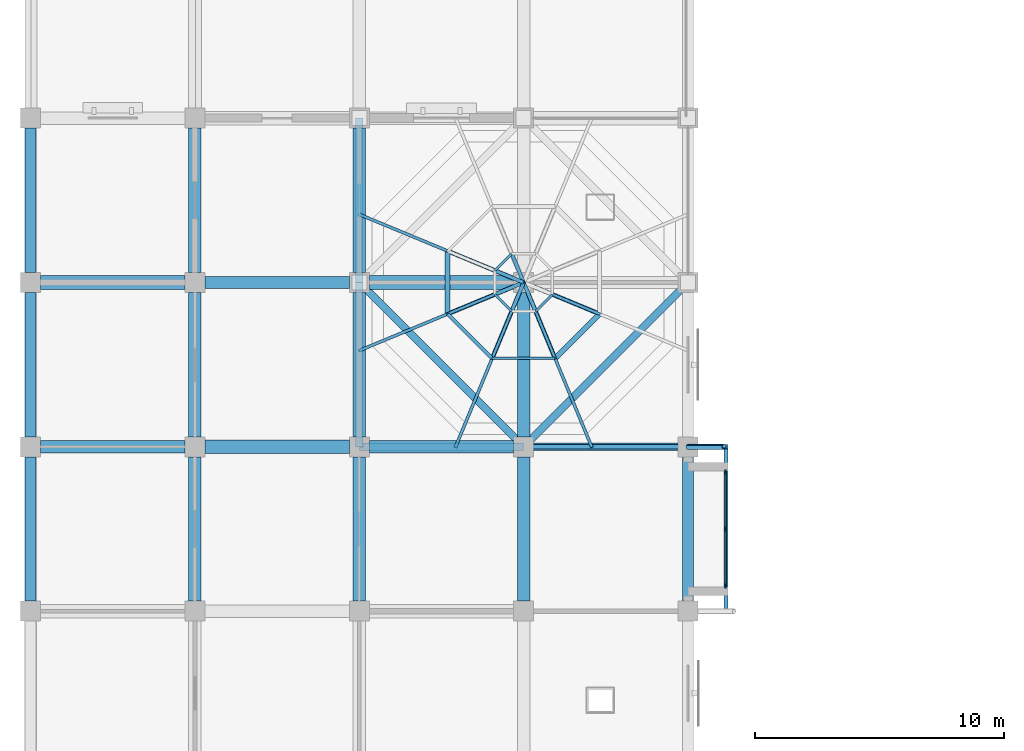
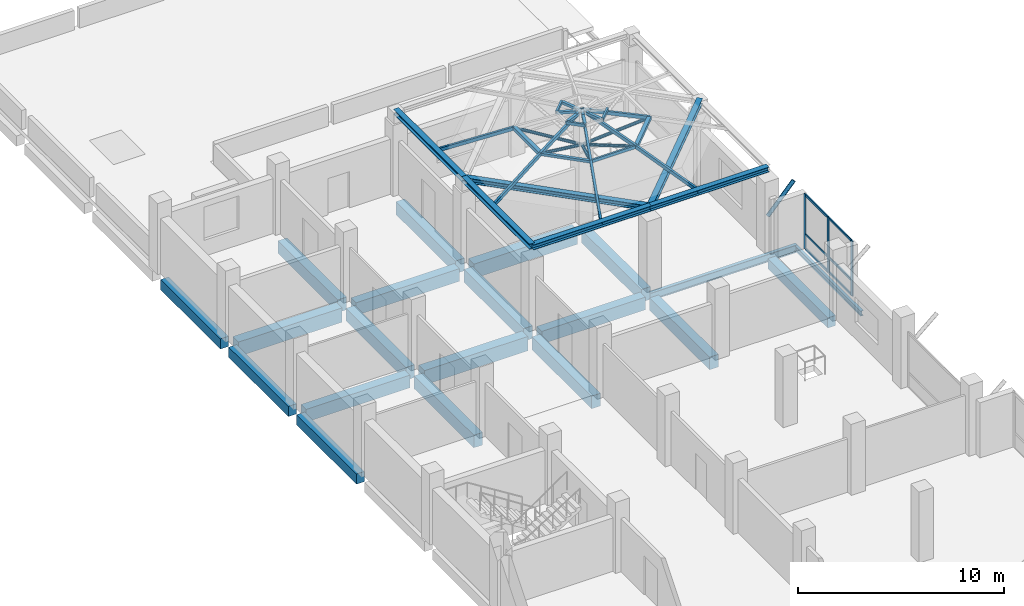
# One storey, part 10 of 25: 35 members, 26 beams, 1 element without a shape of its own.
"""IFC4 building model written with IfcOpenShell, lengths in metres."""

import ifcopenshell
import ifcopenshell.guid

model = None  # the IFC model being written
_history = None  # IfcOwnerHistory: only IFC2X3 demands one
_inside = {}  # id of a spatial element -> (the spatial element, [elements in it])
_under = {}  # id of a project, library or spatial element -> (it, [spatial elements below it])
_declared = {}  # id of a project -> (the project, [libraries it declares])
_typed = {}  # id of a type object -> (the type object, [elements of that type])
_made_of = {}  # id of a material, layer set ... -> (it, [elements and type objects made of it])


def new_model(schema):
    """Start an empty IFC model of exactly this schema.

    Asked for "IFC4X3", IfcOpenShell would pick the latest addendum, in which some entities
    have other attributes; the version numbers below select the first issue.
    IFC2X3 requires an IfcOwnerHistory on every rooted entity: one is made here for all.
    """
    global model, _history
    if schema == "IFC4X3":
        model = ifcopenshell.file(schema_version=(4, 3, 0, 0))
    else:
        model = ifcopenshell.file(schema=schema)
    _inside.clear()
    _under.clear()
    _declared.clear()
    _typed.clear()
    _made_of.clear()
    _history = None
    if model.schema == "IFC2X3":
        org = make("IfcOrganization", Name="unknown")
        user = make(
            "IfcPersonAndOrganization",
            ThePerson=make("IfcPerson", FamilyName="unknown"),
            TheOrganization=org,
        )
        app = make(
            "IfcApplication",
            ApplicationDeveloper=org,
            Version="unknown",
            ApplicationFullName="unknown",
            ApplicationIdentifier="unknown",
        )
        _history = make(
            "IfcOwnerHistory",
            OwningUser=user,
            OwningApplication=app,
            ChangeAction="ADDED",
            CreationDate=0,
        )
    return model


def make(cls, **values):
    """One entity of the class cls with the attributes given. An attribute that is None is left unset."""
    return model.create_entity(
        cls, **{name: value for name, value in values.items() if value is not None}
    )


def rooted(cls, **values):
    """An entity with a GlobalId (a new one), such as an element, a storey or a relation."""
    return make(cls, GlobalId=ifcopenshell.guid.new(), OwnerHistory=_history, **values)


def si_unit(unit_type, name, prefix=None):
    """IfcSIUnit, for example si_unit("LENGTHUNIT", "METRE", prefix="MILLI")."""
    return make("IfcSIUnit", UnitType=unit_type, Prefix=prefix, Name=name)


def assignment(units):
    """IfcUnitAssignment: the units of a project."""
    return None if units is None else make("IfcUnitAssignment", Units=units)


def point(xyz):
    """IfcCartesianPoint."""
    return None if xyz is None else make("IfcCartesianPoint", Coordinates=xyz)


def direction(xyz):
    """IfcDirection."""
    return None if xyz is None else make("IfcDirection", DirectionRatios=xyz)


def frame(location, z_axis=None, x_axis=None):
    """IfcAxis2Placement3D, a coordinate frame: its origin and axes. An axis left out is left unset."""
    return make(
        "IfcAxis2Placement3D",
        Location=point(location),
        Axis=direction(z_axis),
        RefDirection=direction(x_axis),
    )


def frame_2d(location, x_axis=None):
    """IfcAxis2Placement2D, a coordinate frame in the plane: its origin and x axis."""
    return make(
        "IfcAxis2Placement2D", Location=point(location), RefDirection=direction(x_axis)
    )


def origin():
    """The frame at (0, 0, 0) with its axes left unset."""
    return frame((0.0, 0.0, 0.0))


def origin_2d():
    """The frame at (0, 0) in the plane with its x axis left unset."""
    return frame_2d((0.0, 0.0))


def place(relative_to, where):
    """IfcLocalPlacement: puts the frame where relative to a parent placement (None: the world)."""
    return make(
        "IfcLocalPlacement", PlacementRelTo=relative_to, RelativePlacement=where
    )


def context(
    kind, dimensions, precision=None, world=None, true_north=None, identifier=None
):
    """IfcGeometricRepresentationContext, for example the 3D "Model" context."""
    return make(
        "IfcGeometricRepresentationContext",
        ContextIdentifier=identifier,
        ContextType=kind,
        CoordinateSpaceDimension=dimensions,
        Precision=precision,
        WorldCoordinateSystem=world,
        TrueNorth=true_north,
    )


def subcontext(parent, identifier, kind, view, scale=None):
    """IfcGeometricRepresentationSubContext, for example "Body" below "Model"."""
    return make(
        "IfcGeometricRepresentationSubContext",
        ContextIdentifier=identifier,
        ContextType=kind,
        ParentContext=parent,
        TargetScale=scale,
        TargetView=view,
    )


def project(units=None, contexts=None):
    """IfcProject with its units and contexts."""
    return rooted(
        "IfcProject",
        Name="project",
        RepresentationContexts=contexts,
        UnitsInContext=assignment(units),
    )


def spatial(cls, under=None, at=None, **own):
    """A site, building, storey or space (cls), placed at a placement, below another one or the project."""
    s = rooted(cls, ObjectPlacement=at, **own)
    if under is not None:
        _under.setdefault(under.id(), (under, []))[1].append(s)
    return s


def profile(cls, at=None, kind="AREA", **sizes):
    """A parametric profile (cls). Its sizes go by their IFC names, for example OverallWidth=200.0."""
    return make(cls, ProfileType=kind, Position=at, **sizes)


def rectangle(**sizes):
    """IfcRectangleProfileDef."""
    return profile("IfcRectangleProfileDef", **sizes)


def hollow_rectangle(**sizes):
    """IfcRectangleHollowProfileDef."""
    return profile("IfcRectangleHollowProfileDef", **sizes)


def hollow_circle(**sizes):
    """IfcCircleHollowProfileDef."""
    return profile("IfcCircleHollowProfileDef", **sizes)


def i_section(**sizes):
    """IfcIShapeProfileDef."""
    return profile("IfcIShapeProfileDef", **sizes)


def extrude(swept, where, along, depth):
    """IfcExtrudedAreaSolid: the profile swept, set in the frame where, extruded along a direction by depth."""
    return make(
        "IfcExtrudedAreaSolid",
        SweptArea=swept,
        Position=where,
        ExtrudedDirection=direction(along),
        Depth=depth,
    )


def shape(context_of_items, identifier, shape_type, items):
    """IfcShapeRepresentation: the items that make up one representation, for example the "Body"."""
    return make(
        "IfcShapeRepresentation",
        ContextOfItems=context_of_items,
        RepresentationIdentifier=identifier,
        RepresentationType=shape_type,
        Items=items,
    )


def material(Name=None, Category=None):
    """IfcMaterial."""
    return make("IfcMaterial", Name=Name, Category=Category)


def material_profile(
    of_material, cross_section, Name=None, Category=None, Priority=None
):
    """IfcMaterialProfile: a cross section and its material."""
    return make(
        "IfcMaterialProfile",
        Name=Name,
        Material=of_material,
        Profile=cross_section,
        Priority=Priority,
        Category=Category,
    )


def profile_set(profiles, Name=None, composite=None):
    """IfcMaterialProfileSet."""
    return make(
        "IfcMaterialProfileSet",
        Name=Name,
        MaterialProfiles=profiles,
        CompositeProfile=composite,
    )


def made_of(thing, what):
    """Note that an element or type object is made of a material, layer set ...; save() writes the relation."""
    if what is not None:
        _made_of.setdefault(what.id(), (what, []))[1].append(thing)
    return thing


def type_object(cls, material=None, **own):
    """A type object (cls), such as IfcWallType, which elements share."""
    return made_of(rooted(cls, **own), material)


def element(
    cls,
    number,
    at=None,
    inside=None,
    cuts=None,
    type_object=None,
    material=None,
    context=None,
    identifier="Body",
    shape_type=None,
    held_by="IfcProductDefinitionShape",
    body=None,
    shapes=None,
    **own,
):
    """One element of the class cls, such as IfcWall. Its Tag is "e" and its number.

    at: its placement. inside: the storey or other place that contains it. cuts: it is an
    opening in that element (IfcRelVoidsElement). A single representation is given by context,
    identifier, shape_type and body (its items); several are given by shapes. held_by: the class
    of the entity that holds the representations. save() writes the other relations.
    """
    e = rooted(cls, Tag="e%d" % number, ObjectPlacement=at, **own)
    if body is not None:
        shapes = [shape(context, identifier, shape_type, body)]
    if shapes is not None:
        e.Representation = make(held_by, Representations=shapes)
    if inside is not None:
        _inside.setdefault(inside.id(), (inside, []))[1].append(e)
    if cuts is not None:
        rooted(
            "IfcRelVoidsElement", RelatingBuildingElement=cuts, RelatedOpeningElement=e
        )
    if type_object is not None:
        _typed.setdefault(type_object.id(), (type_object, []))[1].append(e)
    return made_of(e, material)


def aggregate(whole, parts):
    """IfcRelAggregates: a whole, such as a stair, and the parts it consists of."""
    return rooted("IfcRelAggregates", RelatingObject=whole, RelatedObjects=parts)


def save(model, path):
    """Write the relations noted so far, then the file.

    IfcRelAggregates (storeys below a building ...), IfcRelContainedInSpatialStructure (elements
    in a storey), IfcRelDefinesByType, IfcRelAssociatesMaterial and IfcRelDeclares: one each for
    every whole, place, type object, material and project.
    """
    for whole, parts in _under.values():
        aggregate(whole, parts)
    for where, things in _inside.values():
        rooted(
            "IfcRelContainedInSpatialStructure",
            RelatedElements=things,
            RelatingStructure=where,
        )
    for kind, things in _typed.values():
        rooted("IfcRelDefinesByType", RelatedObjects=things, RelatingType=kind)
    for what, things in _made_of.values():
        rooted("IfcRelAssociatesMaterial", RelatedObjects=things, RelatingMaterial=what)
    for by, libraries in _declared.values():
        rooted("IfcRelDeclares", RelatingContext=by, RelatedDefinitions=libraries)
    model.write(path)


model = new_model("IFC4")

# Units and contexts
model_context = context("Model", 3, precision=1e-05, world=origin(), true_north=direction((0.0, 1.0)))
body_context = subcontext(model_context, "Body", "Model", "MODEL_VIEW")
ifc_project = project(units=[si_unit("LENGTHUNIT", "METRE"), si_unit("AREAUNIT", "SQUARE_METRE"), si_unit("VOLUMEUNIT", "CUBIC_METRE"), si_unit("PLANEANGLEUNIT", "RADIAN"), si_unit("MASSUNIT", "GRAM", prefix="KILO")], contexts=[model_context])

# Site, building, storey
site_placement = place(None, origin())
site = spatial("IfcSite", under=ifc_project, at=site_placement, CompositionType="ELEMENT")
building_placement = place(site_placement, origin())
building = spatial("IfcBuilding", under=site, at=building_placement, Name="Rusizi Kubbe Research Institute", CompositionType="ELEMENT")
storey_placement = place(building_placement, frame((0.0, 0.0, 14.39990234375)))
storey = spatial("IfcBuildingStorey", under=building, at=storey_placement, Name="L03", CompositionType="ELEMENT", Elevation=14.39990234375)

# Beams
ifc_material_1 = material(Name="Steel S355", Category="steel")
ifc_material_profile_1 = material_profile(ifc_material_1, i_section(OverallWidth=0.300048828125, OverallDepth=0.300048828125, WebThickness=0.010986328125, FlangeThickness=0.01904296875, at=origin_2d()), Name="HEB 300")
ifc_profile_set_1 = profile_set([ifc_material_profile_1], Name="Steel S355")
beam_type_1 = type_object("IfcBeamType", Name="BM-HEB300", PredefinedType="BEAM", material=ifc_profile_set_1)
beam_1_placement = place(storey_placement, frame((13.199951171875, 85.800048828125, 4.7001953125), z_axis=(1.0, 0.0, 0.0), x_axis=(0.0, 1.0, 0.0)))
element("IfcBeam", 1, at=beam_1_placement, inside=storey, type_object=beam_type_1, Name="Kubbe Dome Ring Beam DOME-NP1 S1", PredefinedType="BEAM", context=body_context, shape_type="SweptSolid", body=[
    extrude(i_section(OverallWidth=0.300048828125, OverallDepth=0.300048828125, WebThickness=0.010986328125, FlangeThickness=0.01904296875, at=origin_2d()), origin(), (0.0, 0.0, 1.0), 6.60009765625),
])
for number, where, z_axis, x_axis, name in (
    (2, (19.800048828125, 85.800048828125, 4.7001953125), (1.0, 0.0, 0.0), (0.0, 1.0, 0.0), "Kubbe Dome Ring Beam DOME-NP1 S2"),
    (3, (13.199951171875, 85.800048828125, 4.7001953125), (0.0, 1.0, 0.0), (-1.0, 0.0, 0.0), "Kubbe Dome Ring Beam DOME-NP1 W1"),
):
    element("IfcBeam", number, at=place(storey_placement, frame(where, z_axis=z_axis, x_axis=x_axis)), inside=storey, type_object=beam_type_1, Name=name, PredefinedType="BEAM", context=body_context, shape_type="SweptSolid", body=[
        extrude(i_section(OverallWidth=0.300048828125, OverallDepth=0.300048828125, WebThickness=0.010986328125, FlangeThickness=0.01904296875, at=origin_2d()), origin(), (0.0, 0.0, 1.0), 6.599853515625),
    ])
beam_2_placement = place(storey_placement, frame((13.199951171875, 92.39990234375, 4.7001953125), z_axis=(0.0, 1.0, 0.0), x_axis=(-1.0, 0.0, 0.0)))
element("IfcBeam", 4, at=beam_2_placement, inside=storey, type_object=beam_type_1, Name="Kubbe Dome Ring Beam DOME-NP1 W2", PredefinedType="BEAM", context=body_context, shape_type="SweptSolid", body=[
    extrude(i_section(OverallWidth=0.300048828125, OverallDepth=0.300048828125, WebThickness=0.010986328125, FlangeThickness=0.01904296875, at=origin_2d()), origin(), (0.0, 0.0, 1.0), 6.60009765625),
])
beam_3_placement = place(storey_placement, frame((13.199951171875, 92.39990234375, 4.7001953125), z_axis=(0.707119859409, -0.707093702722, 0.0), x_axis=(0.707093702722, 0.707119859409, 0.0)))
element("IfcBeam", 5, at=beam_3_placement, inside=storey, type_object=beam_type_1, Name="Kubbe Dome Ring Beam DOME-NP1 PSW", PredefinedType="BEAM", context=body_context, shape_type="SweptSolid", body=[
    extrude(i_section(OverallWidth=0.300048828125, OverallDepth=0.300048828125, WebThickness=0.010986328125, FlangeThickness=0.01904296875, at=origin_2d()), origin(), (0.0, 0.0, 1.0), 9.333740234375),
])
beam_4_placement = place(storey_placement, frame((19.800048828125, 85.800048828125, 4.7001953125), z_axis=(0.707106781187, 0.707106781187, 0.0), x_axis=(-0.707106781187, 0.707106781187, 0.0)))
element("IfcBeam", 6, at=beam_4_placement, inside=storey, type_object=beam_type_1, Name="Kubbe Dome Ring Beam DOME-NP1 PSE", PredefinedType="BEAM", context=body_context, shape_type="SweptSolid", body=[
    extrude(i_section(OverallWidth=0.300048828125, OverallDepth=0.300048828125, WebThickness=0.010986328125, FlangeThickness=0.01904296875, at=origin_2d()), origin(), (0.0, 0.0, 1.0), 9.33349609375),
])
ifc_material_2 = material(Name="Steel S355", Category="steel")
ifc_material_profile_2 = material_profile(ifc_material_2, i_section(OverallWidth=0.14990234375, OverallDepth=0.300048828125, WebThickness=0.007080078125, FlangeThickness=0.0107421875, at=origin_2d()), Name="IPE 300")
ifc_profile_set_2 = profile_set([ifc_material_profile_2], Name="Steel S355")
beam_type_2 = type_object("IfcBeamType", Name="BM-IPE300", PredefinedType="BEAM", material=ifc_profile_set_2)
beam_5_placement = place(storey_placement, frame((27.925048828125, 79.294921875, -0.5), z_axis=(0.0, 1.0, 0.0), x_axis=(-1.0, 0.0, 0.0)))
element("IfcBeam", 7, at=beam_5_placement, inside=storey, type_object=beam_type_2, Name="Cumba Edge Tie Beam L03-2", PredefinedType="BEAM", context=body_context, shape_type="SweptSolid", body=[
    extrude(i_section(OverallWidth=0.14990234375, OverallDepth=0.300048828125, WebThickness=0.007080078125, FlangeThickness=0.0107421875, at=origin_2d()), origin(), (0.0, 0.0, 1.0), 6.41015625),
])
ifc_material_3 = material(Name="Steel S355", Category="steel")
ifc_material_profile_3 = material_profile(ifc_material_3, i_section(OverallWidth=0.18994140625, OverallDepth=0.449951171875, WebThickness=0.009521484375, FlangeThickness=0.0146484375, at=origin_2d()), Name="IPE 450")
ifc_profile_set_3 = profile_set([ifc_material_profile_3], Name="Steel S355")
beam_type_3 = type_object("IfcBeamType", Name="BM-IPE450", PredefinedType="BEAM", material=ifc_profile_set_3)
beam_6_placement = place(storey_placement, frame((19.800048828125, 85.800048828125, -0.574951171875), z_axis=(1.0, 0.0, 0.0), x_axis=(0.0, 1.0, 0.0)))
element("IfcBeam", 8, at=beam_6_placement, inside=storey, type_object=beam_type_3, Name="Cumba Back-Spanned Cantilever Beam L03-2N", PredefinedType="BEAM", context=body_context, shape_type="SweptSolid", body=[
    extrude(i_section(OverallWidth=0.18994140625, OverallDepth=0.449951171875, WebThickness=0.009521484375, FlangeThickness=0.0146484375, at=origin_2d()), origin(), (0.0, 0.0, 1.0), 8.199951171875),
])
ifc_material_4 = material(Name="Concrete C40/50", Category="concrete")
ifc_material_profile_4 = material_profile(ifc_material_4, rectangle(XDim=0.449951171875, YDim=0.60009765625, at=origin_2d()), Name="RC450x600")
ifc_profile_set_4 = profile_set([ifc_material_profile_4], Name="Concrete C40/50")
beam_type_4 = type_object("IfcBeamType", Name="BM-RC450x600", PredefinedType="SPANDREL", material=ifc_profile_set_4)
beam_7_placement = place(storey_placement, frame((0.0, 79.60009765625, -0.64990234375), z_axis=(0.0, 1.0, 0.0), x_axis=(-1.0, 0.0, 0.0)))
element("IfcBeam", 9, at=beam_7_placement, inside=storey, type_object=beam_type_4, Name="Grid Beam V L03 (0,12)", PredefinedType="SPANDREL", context=body_context, shape_type="SweptSolid", body=[
    extrude(rectangle(XDim=0.449951171875, YDim=0.60009765625, at=origin_2d()), origin(), (0.0, 0.0, 1.0), 5.7998046875),
])
for number, where, z_axis, x_axis, name in (
    (10, (0.0, 86.199951171875, -0.64990234375), (0.0, 1.0, 0.0), (-1.0, 0.0, 0.0), "Grid Beam V L03 (0,13)"),
    (11, (0.0, 92.800048828125, -0.64990234375), (0.0, 1.0, 0.0), (-1.0, 0.0, 0.0), "Grid Beam V L03 (0,14)"),
):
    element("IfcBeam", number, at=place(storey_placement, frame(where, z_axis=z_axis, x_axis=x_axis)), inside=storey, type_object=beam_type_4, Name=name, PredefinedType="SPANDREL", context=body_context, shape_type="SweptSolid", body=[
        extrude(rectangle(XDim=0.449951171875, YDim=0.60009765625, at=origin_2d()), origin(), (0.0, 0.0, 1.0), 5.800048828125),
    ])
beam_8_placement = place(storey_placement, frame((26.39990234375, 79.60009765625, -0.64990234375), z_axis=(0.0, 1.0, 0.0), x_axis=(-1.0, 0.0, 0.0)))
element("IfcBeam", 12, at=beam_8_placement, inside=storey, type_object=beam_type_4, Name="Grid Beam V L03 (4,12)", PredefinedType="SPANDREL", context=body_context, shape_type="SweptSolid", body=[
    extrude(rectangle(XDim=0.449951171875, YDim=0.60009765625, at=origin_2d()), origin(), (0.0, 0.0, 1.0), 5.7998046875),
])
ifc_material_5 = material(Name="Concrete C45/55", Category="concrete")
ifc_material_profile_5 = material_profile(ifc_material_5, rectangle(XDim=0.5, YDim=0.75, at=origin_2d()), Name="RC500x750B")
ifc_profile_set_5 = profile_set([ifc_material_profile_5], Name="Concrete C45/55")
beam_type_5 = type_object("IfcBeamType", Name="BM-RC500x750", PredefinedType="BEAM", material=ifc_profile_set_5)
for number, where, z_axis, x_axis, name in (
    (13, (0.39990234375, 85.800048828125, -0.724853515625), (1.0, 0.0, 0.0), (0.0, 1.0, 0.0), "Grid Beam H L03 (0,13)"),
    (14, (7.0, 92.39990234375, -0.724853515625), (1.0, 0.0, 0.0), (0.0, 1.0, 0.0), "Grid Beam H L03 (1,14)"),
):
    element("IfcBeam", number, at=place(storey_placement, frame(where, z_axis=z_axis, x_axis=x_axis)), inside=storey, type_object=beam_type_5, Name=name, PredefinedType="BEAM", context=body_context, shape_type="SweptSolid", body=[
        extrude(rectangle(XDim=0.5, YDim=0.75, at=origin_2d()), origin(), (0.0, 0.0, 1.0), 5.800048828125),
    ])
for number, where, z_axis, x_axis, name in (
    (15, (13.60009765625, 85.800048828125, -0.724853515625), (1.0, 0.0, 0.0), (0.0, 1.0, 0.0), "Grid Beam H L03 (2,13)"),
    (16, (6.60009765625, 79.60009765625, -0.724853515625), (0.0, 1.0, 0.0), (-1.0, 0.0, 0.0), "Grid Beam V L03 (1,12)"),
):
    element("IfcBeam", number, at=place(storey_placement, frame(where, z_axis=z_axis, x_axis=x_axis)), inside=storey, type_object=beam_type_5, Name=name, PredefinedType="BEAM", context=body_context, shape_type="SweptSolid", body=[
        extrude(rectangle(XDim=0.5, YDim=0.75, at=origin_2d()), origin(), (0.0, 0.0, 1.0), 5.7998046875),
    ])
for number, where, z_axis, x_axis, name in (
    (17, (6.60009765625, 86.199951171875, -0.724853515625), (0.0, 1.0, 0.0), (-1.0, 0.0, 0.0), "Grid Beam V L03 (1,13)"),
    (18, (6.60009765625, 92.800048828125, -0.724853515625), (0.0, 1.0, 0.0), (-1.0, 0.0, 0.0), "Grid Beam V L03 (1,14)"),
):
    element("IfcBeam", number, at=place(storey_placement, frame(where, z_axis=z_axis, x_axis=x_axis)), inside=storey, type_object=beam_type_5, Name=name, PredefinedType="BEAM", context=body_context, shape_type="SweptSolid", body=[
        extrude(rectangle(XDim=0.5, YDim=0.75, at=origin_2d()), origin(), (0.0, 0.0, 1.0), 5.800048828125),
    ])
beam_9_placement = place(storey_placement, frame((13.199951171875, 79.60009765625, -0.724853515625), z_axis=(0.0, 1.0, 0.0), x_axis=(-1.0, 0.0, 0.0)))
element("IfcBeam", 19, at=beam_9_placement, inside=storey, type_object=beam_type_5, Name="Grid Beam V L03 (2,12)", PredefinedType="BEAM", context=body_context, shape_type="SweptSolid", body=[
    extrude(rectangle(XDim=0.5, YDim=0.75, at=origin_2d()), origin(), (0.0, 0.0, 1.0), 5.7998046875),
])
for number, where, z_axis, x_axis, name in (
    (20, (13.199951171875, 86.199951171875, -0.724853515625), (0.0, 1.0, 0.0), (-1.0, 0.0, 0.0), "Grid Beam V L03 (2,13)"),
    (21, (13.199951171875, 92.800048828125, -0.724853515625), (0.0, 1.0, 0.0), (-1.0, 0.0, 0.0), "Grid Beam V L03 (2,14)"),
):
    element("IfcBeam", number, at=place(storey_placement, frame(where, z_axis=z_axis, x_axis=x_axis)), inside=storey, type_object=beam_type_5, Name=name, PredefinedType="BEAM", context=body_context, shape_type="SweptSolid", body=[
        extrude(rectangle(XDim=0.5, YDim=0.75, at=origin_2d()), origin(), (0.0, 0.0, 1.0), 5.800048828125),
    ])
beam_10_placement = place(storey_placement, frame((19.800048828125, 79.60009765625, -0.724853515625), z_axis=(0.0, 1.0, 0.0), x_axis=(-1.0, 0.0, 0.0)))
element("IfcBeam", 22, at=beam_10_placement, inside=storey, type_object=beam_type_5, Name="Grid Beam V L03 (3,12)", PredefinedType="BEAM", context=body_context, shape_type="SweptSolid", body=[
    extrude(rectangle(XDim=0.5, YDim=0.75, at=origin_2d()), origin(), (0.0, 0.0, 1.0), 5.7998046875),
])
beam_11_placement = place(storey_placement, frame((19.800048828125, 86.199951171875, -0.724853515625), z_axis=(0.0, 1.0, 0.0), x_axis=(-1.0, 0.0, 0.0)))
element("IfcBeam", 23, at=beam_11_placement, inside=storey, type_object=beam_type_5, Name="Grid Beam V L03 (3,13)", PredefinedType="BEAM", context=body_context, shape_type="SweptSolid", body=[
    extrude(rectangle(XDim=0.5, YDim=0.75, at=origin_2d()), origin(), (0.0, 0.0, 1.0), 5.800048828125),
])
ifc_material_6 = material(Name="Concrete C45/55", Category="concrete")
ifc_material_profile_6 = material_profile(ifc_material_6, rectangle(XDim=0.550048828125, YDim=0.85009765625, at=origin_2d()), Name="RC550x850")
ifc_profile_set_6 = profile_set([ifc_material_profile_6], Name="Concrete C45/55")
beam_type_6 = type_object("IfcBeamType", Name="BM-RC550x850", PredefinedType="BEAM", material=ifc_profile_set_6)
for number, where, z_axis, x_axis, name in (
    (24, (0.39990234375, 92.39990234375, -0.77490234375), (1.0, 0.0, 0.0), (0.0, 1.0, 0.0), "Grid Beam H L03 (0,14)"),
    (25, (7.0, 85.800048828125, -0.77490234375), (1.0, 0.0, 0.0), (0.0, 1.0, 0.0), "Grid Beam H L03 (1,13)"),
):
    element("IfcBeam", number, at=place(storey_placement, frame(where, z_axis=z_axis, x_axis=x_axis)), inside=storey, type_object=beam_type_6, Name=name, PredefinedType="BEAM", context=body_context, shape_type="SweptSolid", body=[
        extrude(rectangle(XDim=0.550048828125, YDim=0.85009765625, at=origin_2d()), origin(), (0.0, 0.0, 1.0), 5.800048828125),
    ])
beam_12_placement = place(storey_placement, frame((13.60009765625, 92.39990234375, -0.77490234375), z_axis=(1.0, 0.0, 0.0), x_axis=(0.0, 1.0, 0.0)))
element("IfcBeam", 26, at=beam_12_placement, inside=storey, type_object=beam_type_6, Name="Grid Beam H L03 (2,14)", PredefinedType="BEAM", context=body_context, shape_type="SweptSolid", body=[
    extrude(rectangle(XDim=0.550048828125, YDim=0.85009765625, at=origin_2d()), origin(), (0.0, 0.0, 1.0), 5.7998046875),
])

# Members
ifc_material_7 = material(Name="Steel S355", Category="steel")
ifc_material_profile_7 = material_profile(ifc_material_7, hollow_circle(Radius=0.084228515625, WallThickness=0.00634765625, at=origin_2d()), Name="CHS 168.3x6.3")
ifc_profile_set_7 = profile_set([ifc_material_profile_7], Name="Steel S355")
member_type_1 = type_object("IfcMemberType", Name="MB-CHS168", PredefinedType="STRUT", material=ifc_profile_set_7)
for number, where, z_axis, x_axis, name in (
    (27, (19.800048828125, 92.39990234375, 4.400146484375), (-0.86003043973, 0.356257003902, 0.365278783819), (-0.382702441477, -0.92387165845, 0.0), "Kubbe Radial King-Post Strut DOME-NP1-4"),
    (28, (19.800048828125, 92.39990234375, 4.400146484375), (-0.860051539231, -0.356196873871, 0.365287745362), (0.382639293348, -0.923897814256, 0.0), "Kubbe Radial King-Post Strut DOME-NP1-5"),
    (29, (19.800048828125, 92.39990234375, 4.400146484375), (-0.356278105695, -0.860012508373, 0.36530041999), (0.923860822032, -0.382728600334, 0.0), "Kubbe Radial King-Post Strut DOME-NP1-6"),
):
    element("IfcMember", number, at=place(storey_placement, frame(where, z_axis=z_axis, x_axis=x_axis)), inside=storey, type_object=member_type_1, Name=name, PredefinedType="STRUT", context=body_context, shape_type="SweptSolid", body=[
        extrude(hollow_circle(Radius=0.084228515625, WallThickness=0.00634765625, at=origin_2d()), origin(), (0.0, 0.0, 1.0), 3.544921875),
    ])
member_1_placement = place(storey_placement, frame((19.800048828125, 92.39990234375, 4.400146484375), z_axis=(0.356217973138, -0.860033609933, 0.365309383125), x_axis=(0.923886981107, 0.38266544937, 0.0)))
element("IfcMember", 30, at=member_1_placement, inside=storey, type_object=member_type_1, Name="Kubbe Radial King-Post Strut DOME-NP1-7", PredefinedType="STRUT", context=body_context, shape_type="SweptSolid", body=[
    extrude(hollow_circle(Radius=0.084228515625, WallThickness=0.00634765625, at=origin_2d()), origin(), (0.0, 0.0, 1.0), 3.544677734375),
])
member_2_placement = place(storey_placement, frame((19.800048828125, 92.39990234375, 4.400146484375), z_axis=(0.860051539231, -0.356196873871, 0.365287745362), x_axis=(0.382639293348, 0.923897814256, 0.0)))
element("IfcMember", 31, at=member_2_placement, inside=storey, type_object=member_type_1, Name="Kubbe Radial King-Post Strut DOME-NP1-8", PredefinedType="STRUT", context=body_context, shape_type="SweptSolid", body=[
    extrude(hollow_circle(Radius=0.084228515625, WallThickness=0.00634765625, at=origin_2d()), origin(), (0.0, 0.0, 1.0), 3.544921875),
])
ifc_material_8 = material(Name="Steel S355", Category="steel")
ifc_material_profile_8 = material_profile(ifc_material_8, hollow_circle(Radius=0.109619140625, WallThickness=0.008056640625, at=origin_2d()), Name="CHS 219.1x8.0")
ifc_profile_set_8 = profile_set([ifc_material_profile_8], Name="Steel S355")
member_type_2 = type_object("IfcMemberType", Name="MB-CHS219", PredefinedType="BRACE", material=ifc_profile_set_8)
member_3_placement = place(storey_placement, frame((26.39990234375, 85.800048828125, 1.860107421875), z_axis=(0.671546581731, 0.0, 0.740962339506), x_axis=(0.0, 1.0, 0.0)))
element("IfcMember", 32, at=member_3_placement, inside=storey, type_object=member_type_2, Name="Cumba Diagonal Corbel Brace L04-3N", PredefinedType="BRACE", context=body_context, shape_type="SweptSolid", body=[
    extrude(hollow_circle(Radius=0.109619140625, WallThickness=0.008056640625, at=origin_2d()), origin(), (0.0, 0.0, 1.0), 2.159423828125),
])
ifc_material_9 = material(Name="Steel S355", Category="steel")
ifc_material_profile_9 = material_profile(ifc_material_9, hollow_rectangle(XDim=0.10009765625, YDim=0.179931640625, WallThickness=0.008056640625, at=origin_2d()), Name="RHS 180x100x8.0")
ifc_profile_set_9 = profile_set([ifc_material_profile_9], Name="Steel S355")
member_type_3 = type_object("IfcMemberType", Name="MB-RHS180", PredefinedType="PURLIN", material=ifc_profile_set_9)
for number, where, z_axis, x_axis, name in (
    (33, (19.321533203125, 93.554931640625, 6.400146484375), (-0.706979156105, -0.707234383237, 0.0), (0.707234383237, -0.706979156105, 0.0), "Kubbe Dome Hoop Purlin Top DOME-NP1-3"),
    (34, (18.645263671875, 91.921630859375, 6.400146484375), (0.706979156105, -0.707234383237, 0.0), (0.707234383237, 0.706979156105, 0.0), "Kubbe Dome Hoop Purlin Top DOME-NP1-5"),
):
    element("IfcMember", number, at=place(storey_placement, frame(where, z_axis=z_axis, x_axis=x_axis)), inside=storey, type_object=member_type_3, Name=name, PredefinedType="PURLIN", context=body_context, shape_type="SweptSolid", body=[
        extrude(hollow_rectangle(XDim=0.10009765625, YDim=0.179931640625, WallThickness=0.008056640625, at=origin_2d()), origin(), (0.0, 0.0, 1.0), 0.95654296875),
    ])
member_4_placement = place(storey_placement, frame((18.537109375, 89.351318359375, 5.695068359375), z_axis=(1.0, 0.0, 0.0), x_axis=(0.0, 1.0, 0.0)))
element("IfcMember", 35, at=member_4_placement, inside=storey, type_object=member_type_3, Name="Kubbe Vault Hoop Purlin Mid DOME-NP1-6", PredefinedType="PURLIN", context=body_context, shape_type="SweptSolid", body=[
    extrude(hollow_rectangle(XDim=0.10009765625, YDim=0.179931640625, WallThickness=0.008056640625, at=origin_2d()), origin(), (0.0, 0.0, 1.0), 2.525634765625),
])
member_5_placement = place(storey_placement, frame((20.2783203125, 91.2451171875, 6.400146484375), z_axis=(0.707106781187, 0.707106781187, 0.0), x_axis=(-0.707106781187, 0.707106781187, 0.0)))
element("IfcMember", 36, at=member_5_placement, inside=storey, type_object=member_type_3, Name="Kubbe Dome Hoop Purlin Top DOME-NP1-7", PredefinedType="PURLIN", context=body_context, shape_type="SweptSolid", body=[
    extrude(hollow_rectangle(XDim=0.10009765625, YDim=0.179931640625, WallThickness=0.008056640625, at=origin_2d()), origin(), (0.0, 0.0, 1.0), 0.956787109375),
])
ifc_material_10 = material(Name="Steel S355", Category="steel")
ifc_material_profile_10 = material_profile(ifc_material_10, hollow_rectangle(XDim=0.1201171875, YDim=0.199951171875, WallThickness=0.008056640625, at=origin_2d()), Name="RHS 200x120x8.0")
ifc_profile_set_10 = profile_set([ifc_material_profile_10], Name="Steel S355")
member_type_4 = type_object("IfcMemberType", Name="MB-RHS200", PredefinedType="RAFTER", material=ifc_profile_set_10)
for number, where, z_axis, x_axis, name in (
    (37, (13.199951171875, 95.1337890625, 4.7001953125), (0.894410754218, -0.370467812056, 0.25056536666), (0.38267527446, 0.923882911584, 0.0), "Kubbe Arch Rib Lower DOME-NP1-4"),
    (38, (13.199951171875, 89.666259765625, 4.7001953125), (0.894410754218, 0.370467812056, 0.25056536666), (-0.38267527446, 0.923882911584, 0.0), "Kubbe Arch Rib Lower DOME-NP1-5"),
):
    element("IfcMember", number, at=place(storey_placement, frame(where, z_axis=z_axis, x_axis=x_axis)), inside=storey, type_object=member_type_4, Name=name, PredefinedType="RAFTER", context=body_context, shape_type="SweptSolid", body=[
        extrude(hollow_rectangle(XDim=0.1201171875, YDim=0.199951171875, WallThickness=0.008056640625, at=origin_2d()), origin(), (0.0, 0.0, 1.0), 3.970458984375),
    ])
member_6_placement = place(storey_placement, frame((16.751220703125, 91.13720703125, 5.695068359375), z_axis=(0.898822194899, 0.372254035235, 0.231399211771), x_axis=(-0.382639293348, 0.923897814256, 0.0)))
element("IfcMember", 39, at=member_6_placement, inside=storey, type_object=member_type_4, Name="Kubbe Arch Rib Upper DOME-NP1-5", PredefinedType="RAFTER", context=body_context, shape_type="SweptSolid", body=[
    extrude(hollow_rectangle(XDim=0.1201171875, YDim=0.199951171875, WallThickness=0.008056640625, at=origin_2d()), origin(), (0.0, 0.0, 1.0), 3.39208984375),
])
member_7_placement = place(storey_placement, frame((17.066162109375, 85.800048828125, 4.7001953125), z_axis=(0.370467812056, 0.894410754218, 0.25056536666), x_axis=(-0.923882911584, 0.38267527446, 0.0)))
element("IfcMember", 40, at=member_7_placement, inside=storey, type_object=member_type_4, Name="Kubbe Arch Rib Lower DOME-NP1-6", PredefinedType="RAFTER", context=body_context, shape_type="SweptSolid", body=[
    extrude(hollow_rectangle(XDim=0.1201171875, YDim=0.199951171875, WallThickness=0.008056640625, at=origin_2d()), origin(), (0.0, 0.0, 1.0), 3.970458984375),
])
member_8_placement = place(storey_placement, frame((18.537109375, 89.351318359375, 5.695068359375), z_axis=(0.372340120015, 0.898784279649, 0.231407981026), x_axis=(-0.923860822032, 0.382728600334, 0.0)))
element("IfcMember", 41, at=member_8_placement, inside=storey, type_object=member_type_4, Name="Kubbe Arch Rib Upper DOME-NP1-6", PredefinedType="RAFTER", context=body_context, shape_type="SweptSolid", body=[
    extrude(hollow_rectangle(XDim=0.1201171875, YDim=0.199951171875, WallThickness=0.008056640625, at=origin_2d()), origin(), (0.0, 0.0, 1.0), 3.391845703125),
])
member_9_placement = place(storey_placement, frame((22.53369140625, 85.800048828125, 4.7001953125), z_axis=(-0.370467812056, 0.894410754218, 0.25056536666), x_axis=(-0.923882911584, -0.38267527446, 0.0)))
element("IfcMember", 42, at=member_9_placement, inside=storey, type_object=member_type_4, Name="Kubbe Arch Rib Lower DOME-NP1-7", PredefinedType="RAFTER", context=body_context, shape_type="SweptSolid", body=[
    extrude(hollow_rectangle(XDim=0.1201171875, YDim=0.199951171875, WallThickness=0.008056640625, at=origin_2d()), origin(), (0.0, 0.0, 1.0), 3.970458984375),
])
member_10_placement = place(storey_placement, frame((21.062744140625, 89.351318359375, 5.695068359375), z_axis=(-0.372278118694, 0.898808365841, 0.231414182444), x_axis=(-0.923886981107, -0.38266544937, 0.0)))
element("IfcMember", 43, at=member_10_placement, inside=storey, type_object=member_type_4, Name="Kubbe Arch Rib Upper DOME-NP1-7", PredefinedType="RAFTER", context=body_context, shape_type="SweptSolid", body=[
    extrude(hollow_rectangle(XDim=0.1201171875, YDim=0.199951171875, WallThickness=0.008056640625, at=origin_2d()), origin(), (0.0, 0.0, 1.0), 3.391845703125),
])
member_11_placement = place(storey_placement, frame((22.848876953125, 91.13720703125, 5.695068359375), z_axis=(-0.898822194899, 0.372254035235, 0.231399211771), x_axis=(-0.382639293348, -0.923897814256, 0.0)))
element("IfcMember", 44, at=member_11_placement, inside=storey, type_object=member_type_4, Name="Kubbe Arch Rib Upper DOME-NP1-8", PredefinedType="RAFTER", context=body_context, shape_type="SweptSolid", body=[
    extrude(hollow_rectangle(XDim=0.1201171875, YDim=0.199951171875, WallThickness=0.008056640625, at=origin_2d()), origin(), (0.0, 0.0, 1.0), 3.39208984375),
])
ifc_material_11 = material(Name="Steel S355", Category="steel")
ifc_material_profile_11 = material_profile(ifc_material_11, hollow_rectangle(XDim=0.14990234375, YDim=0.14990234375, WallThickness=0.008056640625, at=origin_2d()), Name="SHS 150x150x8.0")
ifc_profile_set_11 = profile_set([ifc_material_profile_11], Name="Steel S355")
member_type_5 = type_object("IfcMemberType", Name="MB-SHS150", PredefinedType="PURLIN", material=ifc_profile_set_11)
member_12_placement = place(storey_placement, frame((19.800048828125, 92.39990234375, 6.400146484375), z_axis=(-0.382742708789, 0.923854977185, 0.0), x_axis=(-0.923854977185, -0.382742708789, 0.0)))
element("IfcMember", 45, at=member_12_placement, inside=storey, type_object=member_type_5, Name="Kubbe Crown Collar DOME-NP1-3", PredefinedType="PURLIN", context=body_context, shape_type="SweptSolid", body=[
    extrude(hollow_rectangle(XDim=0.14990234375, YDim=0.14990234375, WallThickness=0.008056640625, at=origin_2d()), origin(), (0.0, 0.0, 1.0), 1.250244140625),
])
member_13_placement = place(storey_placement, frame((19.800048828125, 92.39990234375, 6.400146484375), z_axis=(-0.923826362943, 0.382811769845, 0.0), x_axis=(-0.382811769845, -0.923826362943, 0.0)))
element("IfcMember", 46, at=member_13_placement, inside=storey, type_object=member_type_5, Name="Kubbe Crown Collar DOME-NP1-4", PredefinedType="PURLIN", context=body_context, shape_type="SweptSolid", body=[
    extrude(hollow_rectangle(XDim=0.14990234375, YDim=0.14990234375, WallThickness=0.008056640625, at=origin_2d()), origin(), (0.0, 0.0, 1.0), 1.25),
])
member_14_placement = place(storey_placement, frame((16.751220703125, 91.13720703125, 5.695068359375), z_axis=(0.707106781187, -0.707106781187, 0.0), x_axis=(0.707106781187, 0.707106781187, 0.0)))
element("IfcMember", 47, at=member_14_placement, inside=storey, type_object=member_type_5, Name="Kubbe Vault Hoop Purlin Mid DOME-NP1-5", PredefinedType="PURLIN", context=body_context, shape_type="SweptSolid", body=[
    extrude(hollow_rectangle(XDim=0.14990234375, YDim=0.14990234375, WallThickness=0.008056640625, at=origin_2d()), origin(), (0.0, 0.0, 1.0), 2.525634765625),
])
for number, where, z_axis, x_axis, name in (
    (48, (19.800048828125, 92.39990234375, 6.400146484375), (-0.923895425513, -0.382645061011, 0.0), (0.382645061011, -0.923895425513, 0.0), "Kubbe Crown Collar DOME-NP1-5"),
    (49, (19.800048828125, 92.39990234375, 6.400146484375), (-0.382811769845, -0.923826362943, 0.0), (0.923826362943, -0.382811769845, 0.0), "Kubbe Crown Collar DOME-NP1-6"),
    (50, (19.800048828125, 92.39990234375, 6.400146484375), (0.382645061011, -0.923895425513, 0.0), (0.923895425513, 0.382645061011, 0.0), "Kubbe Crown Collar DOME-NP1-7"),
):
    element("IfcMember", number, at=place(storey_placement, frame(where, z_axis=z_axis, x_axis=x_axis)), inside=storey, type_object=member_type_5, Name=name, PredefinedType="PURLIN", context=body_context, shape_type="SweptSolid", body=[
        extrude(hollow_rectangle(XDim=0.14990234375, YDim=0.14990234375, WallThickness=0.008056640625, at=origin_2d()), origin(), (0.0, 0.0, 1.0), 1.25),
    ])
ifc_material_12 = material(Name="Steel S355", Category="steel")
ifc_material_profile_12 = material_profile(ifc_material_12, hollow_rectangle(XDim=0.199951171875, YDim=0.199951171875, WallThickness=0.010009765625, at=origin_2d()), Name="SHS 200x200x10.0")
ifc_profile_set_12 = profile_set([ifc_material_profile_12], Name="Steel S355")
member_type_6 = type_object("IfcMemberType", Name="MB-SHS200", PredefinedType="PURLIN", material=ifc_profile_set_12)
member_15_placement = place(storey_placement, frame((16.751220703125, 93.662841796875, 5.695068359375), z_axis=(0.0, -1.0, 0.0), x_axis=(1.0, 0.0, 0.0)))
element("IfcMember", 51, at=member_15_placement, inside=storey, type_object=member_type_6, Name="Kubbe Vault Hoop Purlin Mid DOME-NP1-4", PredefinedType="PURLIN", context=body_context, shape_type="SweptSolid", body=[
    extrude(hollow_rectangle(XDim=0.199951171875, YDim=0.199951171875, WallThickness=0.010009765625, at=origin_2d()), origin(), (0.0, 0.0, 1.0), 2.525634765625),
])
member_16_placement = place(storey_placement, frame((21.062744140625, 89.351318359375, 5.695068359375), z_axis=(0.707155108889, 0.707058450181, 0.0), x_axis=(-0.707058450181, 0.707155108889, 0.0)))
element("IfcMember", 52, at=member_16_placement, inside=storey, type_object=member_type_6, Name="Kubbe Vault Hoop Purlin Mid DOME-NP1-7", PredefinedType="PURLIN", context=body_context, shape_type="SweptSolid", body=[
    extrude(hollow_rectangle(XDim=0.199951171875, YDim=0.199951171875, WallThickness=0.010009765625, at=origin_2d()), origin(), (0.0, 0.0, 1.0), 2.52587890625),
])

# Curtain wall, members
ifc_material_13 = material(Name="Thermally Broken Aluminium and Low-E Glazing", Category="aluminium")
curtain_wall_type = type_object("IfcCurtainWallType", Name="CW-01", PredefinedType="NOTDEFINED", material=ifc_material_13)
curtain_wall_placement = place(storey_placement, origin())
curtain_wall = element("IfcCurtainWall", 53, at=curtain_wall_placement, inside=storey, type_object=curtain_wall_type, Name="Cumba Glazed Curtain Wall CW-CUMBA-L03-037", PredefinedType="NOTDEFINED")
ifc_material_14 = material(Name="Aluminium Alloy 6063-T6", Category="aluminium")
ifc_material_profile_13 = material_profile(ifc_material_14, rectangle(XDim=0.06005859375, YDim=0.179931640625, at=origin_2d()), Name="ALU-M 60x180")
ifc_profile_set_13 = profile_set([ifc_material_profile_13], Name="Aluminium Alloy 6063-T6")
member_type_7 = type_object("IfcMemberType", Name="ML-02", PredefinedType="MULLION", material=ifc_profile_set_13)
member_17_placement = place(storey_placement, frame((27.89990234375, 80.21240234375, 0.0), z_axis=(0.0, 0.0, 1.0), x_axis=(-1.0, 0.0, 0.0)))
member_17 = element("IfcMember", 54, at=member_17_placement, type_object=member_type_7, Name="CW-01 mullion 1", PredefinedType="MULLION", context=body_context, shape_type="SweptSolid", body=[
    extrude(rectangle(XDim=0.06005859375, YDim=0.179931640625, at=origin_2d()), origin(), (0.0, 0.0, 1.0), 3.260009765625),
])
member_18_placement = place(storey_placement, frame((27.89990234375, 82.5, 0.0), z_axis=(0.0, 0.0, 1.0), x_axis=(-1.0, 0.0, 0.0)))
member_18 = element("IfcMember", 55, at=member_18_placement, type_object=member_type_7, Name="CW-01 mullion 2", PredefinedType="MULLION", context=body_context, shape_type="SweptSolid", body=[
    extrude(rectangle(XDim=0.06005859375, YDim=0.179931640625, at=origin_2d()), origin(), (0.0, 0.0, 1.0), 3.260009765625),
])
member_19_placement = place(storey_placement, frame((27.89990234375, 84.78759765625, 0.0), z_axis=(0.0, 0.0, 1.0), x_axis=(-1.0, 0.0, 0.0)))
member_19 = element("IfcMember", 56, at=member_19_placement, type_object=member_type_7, Name="CW-01 mullion 3", PredefinedType="MULLION", context=body_context, shape_type="SweptSolid", body=[
    extrude(rectangle(XDim=0.06005859375, YDim=0.179931640625, at=origin_2d()), origin(), (0.0, 0.0, 1.0), 3.260009765625),
])
ifc_material_15 = material(Name="Aluminium Alloy 6063-T6", Category="aluminium")
ifc_material_profile_14 = material_profile(ifc_material_15, rectangle(XDim=0.06005859375, YDim=0.139892578125, at=origin_2d()), Name="ALU-T 60x140")
ifc_profile_set_14 = profile_set([ifc_material_profile_14], Name="Aluminium Alloy 6063-T6")
member_type_8 = type_object("IfcMemberType", Name="TR-02", PredefinedType="USERDEFINED", material=ifc_profile_set_14)
member_20_placement = place(storey_placement, frame((27.89990234375, 80.242431640625, 0.030029296875), z_axis=(0.0, 1.0, 0.0), x_axis=(-1.0, 0.0, 0.0)))
member_20 = element("IfcMember", 57, at=member_20_placement, type_object=member_type_8, Name="CW-01 transom 1.1", ObjectType="TRANSOM", PredefinedType="USERDEFINED", context=body_context, shape_type="SweptSolid", body=[
    extrude(rectangle(XDim=0.06005859375, YDim=0.139892578125, at=origin_2d()), origin(), (0.0, 0.0, 1.0), 2.2275390625),
])
member_21_placement = place(storey_placement, frame((27.89990234375, 80.242431640625, 0.900146484375), z_axis=(0.0, 1.0, 0.0), x_axis=(-1.0, 0.0, 0.0)))
member_21 = element("IfcMember", 58, at=member_21_placement, type_object=member_type_8, Name="CW-01 transom 1.2", ObjectType="TRANSOM", PredefinedType="USERDEFINED", context=body_context, shape_type="SweptSolid", body=[
    extrude(rectangle(XDim=0.06005859375, YDim=0.139892578125, at=origin_2d()), origin(), (0.0, 0.0, 1.0), 2.2275390625),
])
member_22_placement = place(storey_placement, frame((27.89990234375, 80.242431640625, 3.22998046875), z_axis=(0.0, 1.0, 0.0), x_axis=(-1.0, 0.0, 0.0)))
member_22 = element("IfcMember", 59, at=member_22_placement, type_object=member_type_8, Name="CW-01 transom 1.3", ObjectType="TRANSOM", PredefinedType="USERDEFINED", context=body_context, shape_type="SweptSolid", body=[
    extrude(rectangle(XDim=0.06005859375, YDim=0.139892578125, at=origin_2d()), origin(), (0.0, 0.0, 1.0), 2.2275390625),
])
member_23_placement = place(storey_placement, frame((27.89990234375, 82.530029296875, 0.030029296875), z_axis=(0.0, 1.0, 0.0), x_axis=(-1.0, 0.0, 0.0)))
member_23 = element("IfcMember", 60, at=member_23_placement, type_object=member_type_8, Name="CW-01 transom 2.1", ObjectType="TRANSOM", PredefinedType="USERDEFINED", context=body_context, shape_type="SweptSolid", body=[
    extrude(rectangle(XDim=0.06005859375, YDim=0.139892578125, at=origin_2d()), origin(), (0.0, 0.0, 1.0), 2.2275390625),
])
member_24_placement = place(storey_placement, frame((27.89990234375, 82.530029296875, 0.900146484375), z_axis=(0.0, 1.0, 0.0), x_axis=(-1.0, 0.0, 0.0)))
member_24 = element("IfcMember", 61, at=member_24_placement, type_object=member_type_8, Name="CW-01 transom 2.2", ObjectType="TRANSOM", PredefinedType="USERDEFINED", context=body_context, shape_type="SweptSolid", body=[
    extrude(rectangle(XDim=0.06005859375, YDim=0.139892578125, at=origin_2d()), origin(), (0.0, 0.0, 1.0), 2.2275390625),
])
member_25_placement = place(storey_placement, frame((27.89990234375, 82.530029296875, 3.22998046875), z_axis=(0.0, 1.0, 0.0), x_axis=(-1.0, 0.0, 0.0)))
member_25 = element("IfcMember", 62, at=member_25_placement, type_object=member_type_8, Name="CW-01 transom 2.3", ObjectType="TRANSOM", PredefinedType="USERDEFINED", context=body_context, shape_type="SweptSolid", body=[
    extrude(rectangle(XDim=0.06005859375, YDim=0.139892578125, at=origin_2d()), origin(), (0.0, 0.0, 1.0), 2.2275390625),
])
aggregate(curtain_wall, [member_17, member_18, member_19, member_20, member_21, member_22, member_23, member_24, member_25])

save(model, "model.ifc")
